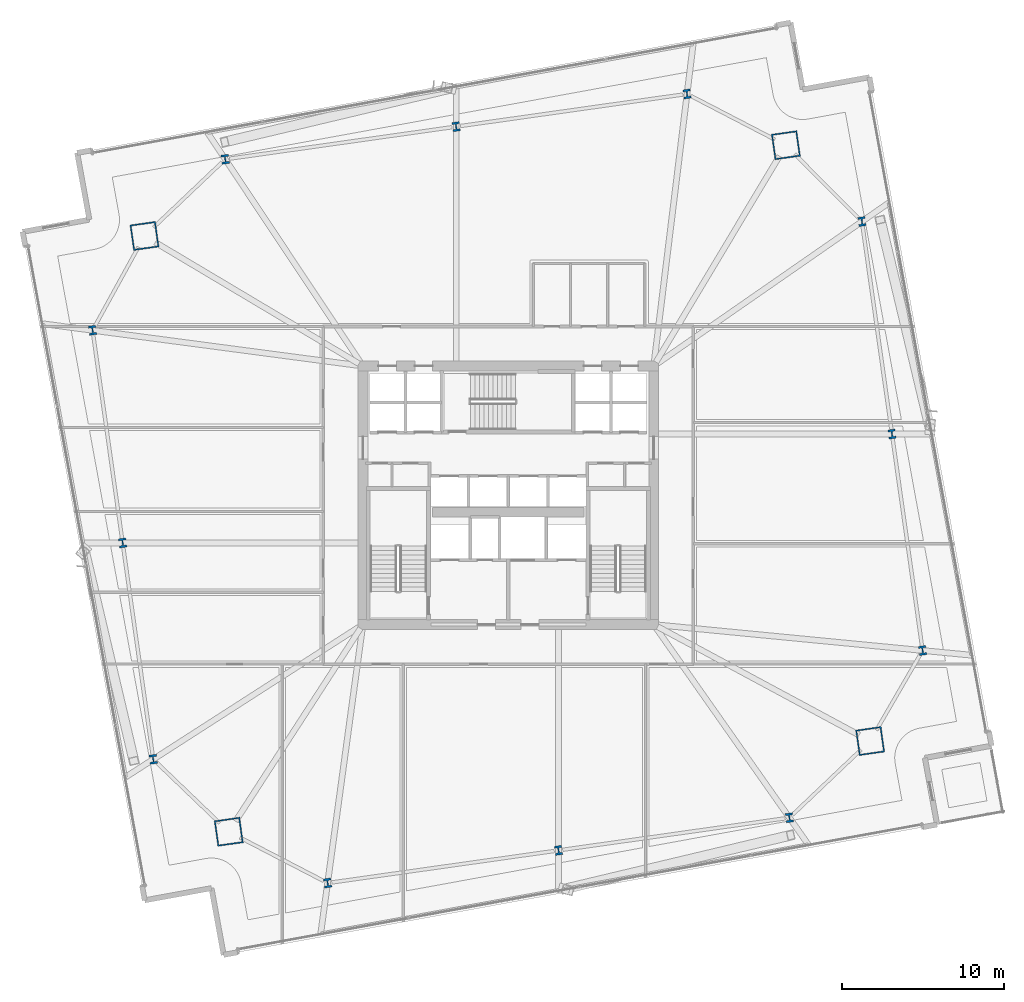
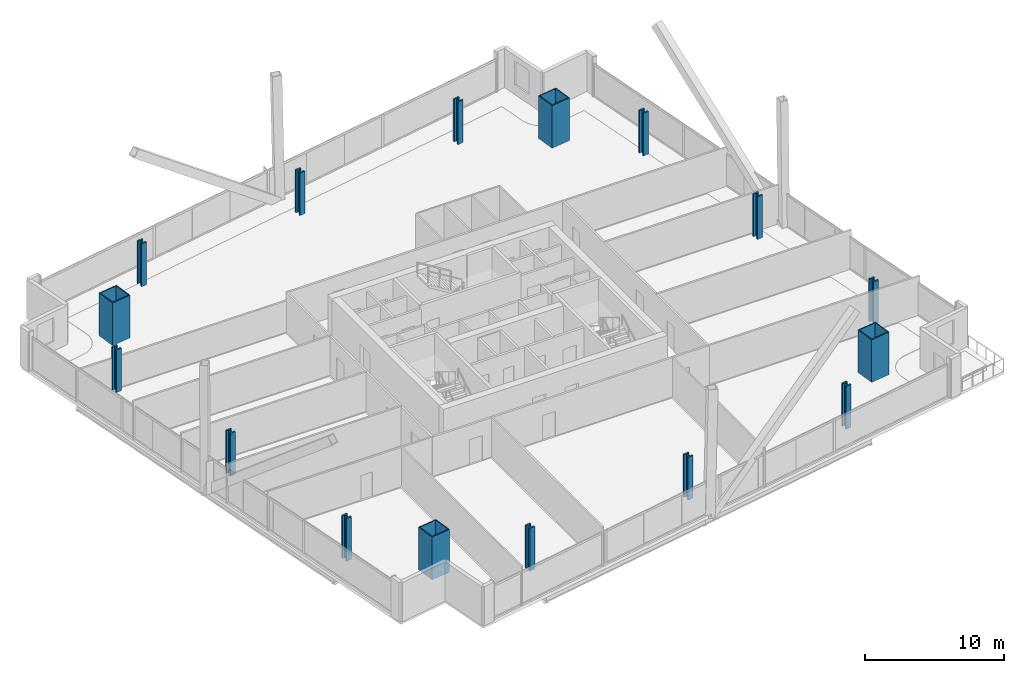
# One storey, part 1 of 34: 16 columns.
"""IFC4 building model written with IfcOpenShell, lengths in metres."""

from ifc_helpers import new_model, si_unit, direction, frame, origin, origin_2d, place, context, subcontext, project, spatial, hollow_rectangle, i_section, extrude, material, material_profile, profile_set, type_object, element, save


model = new_model("IFC4")

# Units and contexts
model_context = context("Model", 3, precision=1e-05, world=origin(), true_north=direction((0.0, 1.0)))
body_context = subcontext(model_context, "Body", "Model", "MODEL_VIEW")
ifc_project = project(units=[si_unit("LENGTHUNIT", "METRE"), si_unit("AREAUNIT", "SQUARE_METRE"), si_unit("VOLUMEUNIT", "CUBIC_METRE"), si_unit("PLANEANGLEUNIT", "RADIAN"), si_unit("MASSUNIT", "GRAM", prefix="KILO")], contexts=[model_context])

# Site, building, storey
site_placement = place(None, origin())
site = spatial("IfcSite", under=ifc_project, at=site_placement, CompositionType="ELEMENT")
building_placement = place(site_placement, origin())
building = spatial("IfcBuilding", under=site, at=building_placement, Name="Haldenkirk Collegiate Tower", CompositionType="ELEMENT")
storey_placement = place(building_placement, frame((0.0, 0.0, 62.699951171875)))
storey = spatial("IfcBuildingStorey", under=building, at=storey_placement, Name="L14", CompositionType="ELEMENT", Elevation=62.699951171875)

# Columns
ifc_material_1 = material(Name="Steel ASTM A913 Grade 65", Category="steel")
ifc_material_profile_1 = material_profile(ifc_material_1, i_section(OverallWidth=0.4541015625, OverallDepth=0.569091796875, WebThickness=0.077880859375, FlangeThickness=0.124755859375, at=origin_2d()), Name="W14X730")
ifc_profile_set_1 = profile_set([ifc_material_profile_1], Name="Steel ASTM A913 Grade 65")
column_type_1 = type_object("IfcColumnType", Name="COL-INT-W14X730", PredefinedType="COLUMN", material=ifc_profile_set_1)
for number, where, z_axis, x_axis, name in (
    (1, (24.815185546875, 1.997314453125, 0.0), (0.0, 0.0, 1.0), (0.990146240249, 0.140037219771, 0.0), "L14 perimeter gravity column PC-S1"),
    (2, (39.10888671875, 4.018798828125, 0.0), (0.0, 0.0, 1.0), (0.990146240249, 0.140037219771, 0.0), "L14 perimeter gravity column PC-S2"),
    (3, (53.402587890625, 6.040283203125, 0.0), (0.0, 0.0, 1.0), (0.990146240249, 0.140037219771, 0.0), "L14 perimeter gravity column PC-S3"),
    (4, (61.648193359375, 16.39306640625, 0.0), (0.0, 0.0, 1.0), (0.990146240249, 0.140037219771, 0.0), "L14 perimeter gravity column PC-E1"),
    (5, (59.75341796875, 29.788818359375, 0.0), (0.0, 0.0, 1.0), (0.990146240249, 0.140037219771, 0.0), "L14 perimeter gravity column PC-E2"),
    (6, (57.892333984375, 42.94873046875, 0.0), (0.0, 0.0, 1.0), (0.990146240249, 0.140037219771, 0.0), "L14 perimeter gravity column PC-E3"),
    (7, (47.06591796875, 50.844482421875, 0.0), (0.0, 0.0, 1.0), (0.990146240249, 0.140037219771, 0.0), "L14 perimeter gravity column PC-N1"),
    (8, (32.772216796875, 48.822998046875, 0.0), (0.0, 0.0, 1.0), (0.990146240249, 0.140037219771, 0.0), "L14 perimeter gravity column PC-N2"),
    (9, (18.478515625, 46.80126953125, 0.0), (0.0, 0.0, 1.0), (0.990146240249, 0.140037219771, 0.0), "L14 perimeter gravity column PC-N3"),
    (10, (10.26611328125, 36.212890625, 0.0), (0.0, 0.0, 1.0), (0.990146240249, 0.140037219771, 0.0), "L14 perimeter gravity column PC-W1"),
    (11, (12.12744140625, 23.052978515625, 0.0), (0.0, 0.0, 1.0), (0.990146240249, 0.140037219771, 0.0), "L14 perimeter gravity column PC-W2"),
    (12, (14.02197265625, 9.6572265625, 0.0), (0.0, 0.0, 1.0), (0.990146240249, 0.140037219771, 0.0), "L14 perimeter gravity column PC-W3"),
):
    element("IfcColumn", number, at=place(storey_placement, frame(where, z_axis=z_axis, x_axis=x_axis)), inside=storey, type_object=column_type_1, Name=name, PredefinedType="COLUMN", context=body_context, shape_type="SweptSolid", body=[
        extrude(i_section(OverallWidth=0.4541015625, OverallDepth=0.569091796875, WebThickness=0.077880859375, FlangeThickness=0.124755859375, at=origin_2d()), origin(), (0.0, 0.0, 1.0), 3.75),
    ])
ifc_material_2 = material(Name="Steel ASTM A572 Grade 50", Category="steel")
ifc_material_profile_2 = material_profile(ifc_material_2, hollow_rectangle(XDim=1.60009765625, YDim=1.60009765625, WallThickness=0.080078125, at=origin_2d()), Name="BOX1600X1600X80")
ifc_profile_set_2 = profile_set([ifc_material_profile_2], Name="Steel ASTM A572 Grade 50")
column_type_2 = type_object("IfcColumnType", Name="COL-MEGA-BOX1600X1600X80", PredefinedType="COLUMN", material=ifc_profile_set_2)
for number, where, z_axis, x_axis, name in (
    (13, (18.6962890625, 5.171630859375, 0.0), (0.0, 0.0, 1.0), (0.990146240249, 0.140037219771, 0.0), "L14 corner mega-column MC1"),
    (14, (58.401123046875, 10.787109375, 0.0), (0.0, 0.0, 1.0), (0.990146240249, 0.140037219771, 0.0), "L14 corner mega-column MC2"),
    (15, (53.184814453125, 47.669921875, 0.0), (0.0, 0.0, 1.0), (0.990146240249, 0.140037219771, 0.0), "L14 corner mega-column MC3"),
    (16, (13.47998046875, 42.054443359375, 0.0), (0.0, 0.0, 1.0), (0.990146240249, 0.140037219771, 0.0), "L14 corner mega-column MC4"),
):
    element("IfcColumn", number, at=place(storey_placement, frame(where, z_axis=z_axis, x_axis=x_axis)), inside=storey, type_object=column_type_2, Name=name, PredefinedType="COLUMN", context=body_context, shape_type="SweptSolid", body=[
        extrude(hollow_rectangle(XDim=1.60009765625, YDim=1.60009765625, WallThickness=0.080078125, at=origin_2d()), origin(), (0.0, 0.0, 1.0), 3.75),
    ])

save(model, "model.ifc")
